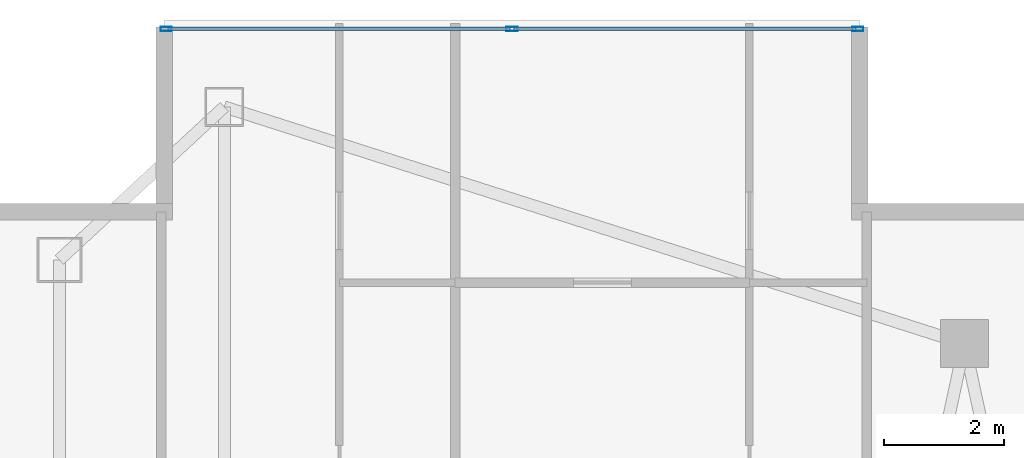
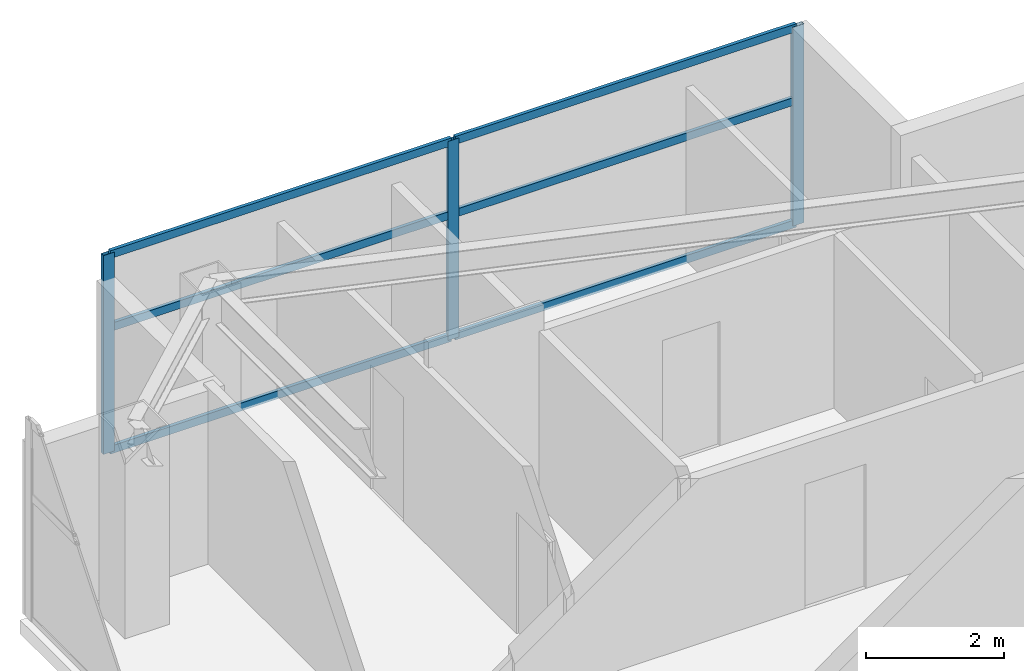
# One storey, part 19 of 27: 9 members, 1 element without a shape of its own.
"""IFC4 building model written with IfcOpenShell, lengths in metres."""

from ifc_helpers import new_model, si_unit, direction, frame, origin, origin_2d, place, context, subcontext, project, spatial, hollow_rectangle, extrude, material, layer, layer_set, material_profile, profile_set, type_object, element, aggregate, save


model = new_model("IFC4")

# Units and contexts
model_context = context("Model", 3, precision=1e-05, world=origin(), true_north=direction((0.0, 1.0)))
body_context = subcontext(model_context, "Body", "Model", "MODEL_VIEW")
ifc_project = project(units=[si_unit("LENGTHUNIT", "METRE"), si_unit("AREAUNIT", "SQUARE_METRE"), si_unit("VOLUMEUNIT", "CUBIC_METRE"), si_unit("PLANEANGLEUNIT", "RADIAN"), si_unit("MASSUNIT", "GRAM", prefix="KILO")], contexts=[model_context])

# Site, building, storey
site_placement = place(None, origin())
site = spatial("IfcSite", under=ifc_project, at=site_placement, CompositionType="ELEMENT")
building_placement = place(site_placement, origin())
building = spatial("IfcBuilding", under=site, at=building_placement, Name="Calvorn Quay Hotel", CompositionType="ELEMENT")
storey_placement = place(building_placement, frame((0.0, 0.0, 230.699951171875)))
storey = spatial("IfcBuildingStorey", under=building, at=storey_placement, Name="L57", CompositionType="ELEMENT", Elevation=230.699951171875)

# Curtain wall, members
ifc_material_1 = material(Name="Champagne Bronze Anodised Aluminium and Low-E Glass", Category="aluminium")
ifc_layer = layer(ifc_material_1, 0.219970703125)
ifc_layer_set = layer_set([ifc_layer], Name="CW-SYS-Z3")
curtain_wall_type = type_object("IfcCurtainWallType", Name="CW-SYS-Z3", PredefinedType="NOTDEFINED", material=ifc_layer_set)
curtain_wall_placement = place(storey_placement, origin())
curtain_wall = element("IfcCurtainWall", 1, at=curtain_wall_placement, inside=storey, type_object=curtain_wall_type, Name="Inner Court Curtain Wall L57-N1", PredefinedType="NOTDEFINED")
ifc_material_2 = material(Name="Champagne Bronze Anodised Aluminium 6063-T6", Category="aluminium")
ifc_material_profile_1 = material_profile(ifc_material_2, hollow_rectangle(XDim=0.068115234375, YDim=0.18505859375, WallThickness=0.00390625, at=origin_2d()), Name="ALU-M185x68x4")
ifc_profile_set_1 = profile_set([ifc_material_profile_1], Name="Champagne Bronze Anodised Aluminium 6063-T6")
member_type_1 = type_object("IfcMemberType", Name="CW-SYS-Z3-MUL", PredefinedType="MULLION", material=ifc_profile_set_1)
member_1_placement = place(storey_placement, frame((14.77001953125, 50.85009765625, 0.0), z_axis=(0.0, 0.0, 1.0), x_axis=(0.0, -1.0, 0.0)))
member_1 = element("IfcMember", 2, at=member_1_placement, type_object=member_type_1, Name="CW-L57-N1 mullion 1", PredefinedType="MULLION", context=body_context, shape_type="SweptSolid", body=[
    extrude(hollow_rectangle(XDim=0.068115234375, YDim=0.18505859375, WallThickness=0.00390625, at=origin_2d()), origin(), (0.0, 0.0, 1.0), 3.52001953125),
])
member_2_placement = place(storey_placement, frame((9.0, 50.85009765625, 0.0), z_axis=(0.0, 0.0, 1.0), x_axis=(0.0, -1.0, 0.0)))
member_2 = element("IfcMember", 3, at=member_2_placement, type_object=member_type_1, Name="CW-L57-N1 mullion 2", PredefinedType="MULLION", context=body_context, shape_type="SweptSolid", body=[
    extrude(hollow_rectangle(XDim=0.068115234375, YDim=0.18505859375, WallThickness=0.00390625, at=origin_2d()), origin(), (0.0, 0.0, 1.0), 3.52001953125),
])
member_3_placement = place(storey_placement, frame((3.22998046875, 50.85009765625, 0.0), z_axis=(0.0, 0.0, 1.0), x_axis=(0.0, -1.0, 0.0)))
member_3 = element("IfcMember", 4, at=member_3_placement, type_object=member_type_1, Name="CW-L57-N1 mullion 3", PredefinedType="MULLION", context=body_context, shape_type="SweptSolid", body=[
    extrude(hollow_rectangle(XDim=0.068115234375, YDim=0.18505859375, WallThickness=0.00390625, at=origin_2d()), origin(), (0.0, 0.0, 1.0), 3.52001953125),
])
ifc_material_3 = material(Name="Champagne Bronze Anodised Aluminium 6063-T6", Category="aluminium")
ifc_material_profile_2 = material_profile(ifc_material_3, hollow_rectangle(XDim=0.05810546875, YDim=0.139892578125, WallThickness=0.003173828125, at=origin_2d()), Name="ALU-T140x58x3.2")
ifc_profile_set_2 = profile_set([ifc_material_profile_2], Name="Champagne Bronze Anodised Aluminium 6063-T6")
member_type_2 = type_object("IfcMemberType", Name="CW-SYS-Z3-TRN", PredefinedType="USERDEFINED", material=ifc_profile_set_2)
member_4_placement = place(storey_placement, frame((14.739990234375, 50.85009765625, 0.030029296875), z_axis=(-1.0, 0.0, 0.0), x_axis=(0.0, -1.0, 0.0)))
member_4 = element("IfcMember", 5, at=member_4_placement, type_object=member_type_2, Name="CW-L57-N1 transom 1.1", ObjectType="TRANSOM", PredefinedType="USERDEFINED", context=body_context, shape_type="SweptSolid", body=[
    extrude(hollow_rectangle(XDim=0.05810546875, YDim=0.139892578125, WallThickness=0.003173828125, at=origin_2d()), origin(), (0.0, 0.0, 1.0), 5.7099609375),
])
member_5_placement = place(storey_placement, frame((14.739990234375, 50.85009765625, 2.199951171875), z_axis=(-1.0, 0.0, 0.0), x_axis=(0.0, -1.0, 0.0)))
member_5 = element("IfcMember", 6, at=member_5_placement, type_object=member_type_2, Name="CW-L57-N1 transom 1.2", ObjectType="TRANSOM", PredefinedType="USERDEFINED", context=body_context, shape_type="SweptSolid", body=[
    extrude(hollow_rectangle(XDim=0.05810546875, YDim=0.139892578125, WallThickness=0.003173828125, at=origin_2d()), origin(), (0.0, 0.0, 1.0), 5.7099609375),
])
member_6_placement = place(storey_placement, frame((14.739990234375, 50.85009765625, 3.489990234375), z_axis=(-1.0, 0.0, 0.0), x_axis=(0.0, -1.0, 0.0)))
member_6 = element("IfcMember", 7, at=member_6_placement, type_object=member_type_2, Name="CW-L57-N1 transom 1.3", ObjectType="TRANSOM", PredefinedType="USERDEFINED", context=body_context, shape_type="SweptSolid", body=[
    extrude(hollow_rectangle(XDim=0.05810546875, YDim=0.139892578125, WallThickness=0.003173828125, at=origin_2d()), origin(), (0.0, 0.0, 1.0), 5.7099609375),
])
member_7_placement = place(storey_placement, frame((8.969970703125, 50.85009765625, 0.030029296875), z_axis=(-1.0, 0.0, 0.0), x_axis=(0.0, -1.0, 0.0)))
member_7 = element("IfcMember", 8, at=member_7_placement, type_object=member_type_2, Name="CW-L57-N1 transom 2.1", ObjectType="TRANSOM", PredefinedType="USERDEFINED", context=body_context, shape_type="SweptSolid", body=[
    extrude(hollow_rectangle(XDim=0.05810546875, YDim=0.139892578125, WallThickness=0.003173828125, at=origin_2d()), origin(), (0.0, 0.0, 1.0), 5.7099609375),
])
member_8_placement = place(storey_placement, frame((8.969970703125, 50.85009765625, 2.199951171875), z_axis=(-1.0, 0.0, 0.0), x_axis=(0.0, -1.0, 0.0)))
member_8 = element("IfcMember", 9, at=member_8_placement, type_object=member_type_2, Name="CW-L57-N1 transom 2.2", ObjectType="TRANSOM", PredefinedType="USERDEFINED", context=body_context, shape_type="SweptSolid", body=[
    extrude(hollow_rectangle(XDim=0.05810546875, YDim=0.139892578125, WallThickness=0.003173828125, at=origin_2d()), origin(), (0.0, 0.0, 1.0), 5.7099609375),
])
member_9_placement = place(storey_placement, frame((8.969970703125, 50.85009765625, 3.489990234375), z_axis=(-1.0, 0.0, 0.0), x_axis=(0.0, -1.0, 0.0)))
member_9 = element("IfcMember", 10, at=member_9_placement, type_object=member_type_2, Name="CW-L57-N1 transom 2.3", ObjectType="TRANSOM", PredefinedType="USERDEFINED", context=body_context, shape_type="SweptSolid", body=[
    extrude(hollow_rectangle(XDim=0.05810546875, YDim=0.139892578125, WallThickness=0.003173828125, at=origin_2d()), origin(), (0.0, 0.0, 1.0), 5.7099609375),
])
aggregate(curtain_wall, [member_1, member_2, member_3, member_4, member_5, member_6, member_7, member_8, member_9])

save(model, "model.ifc")
